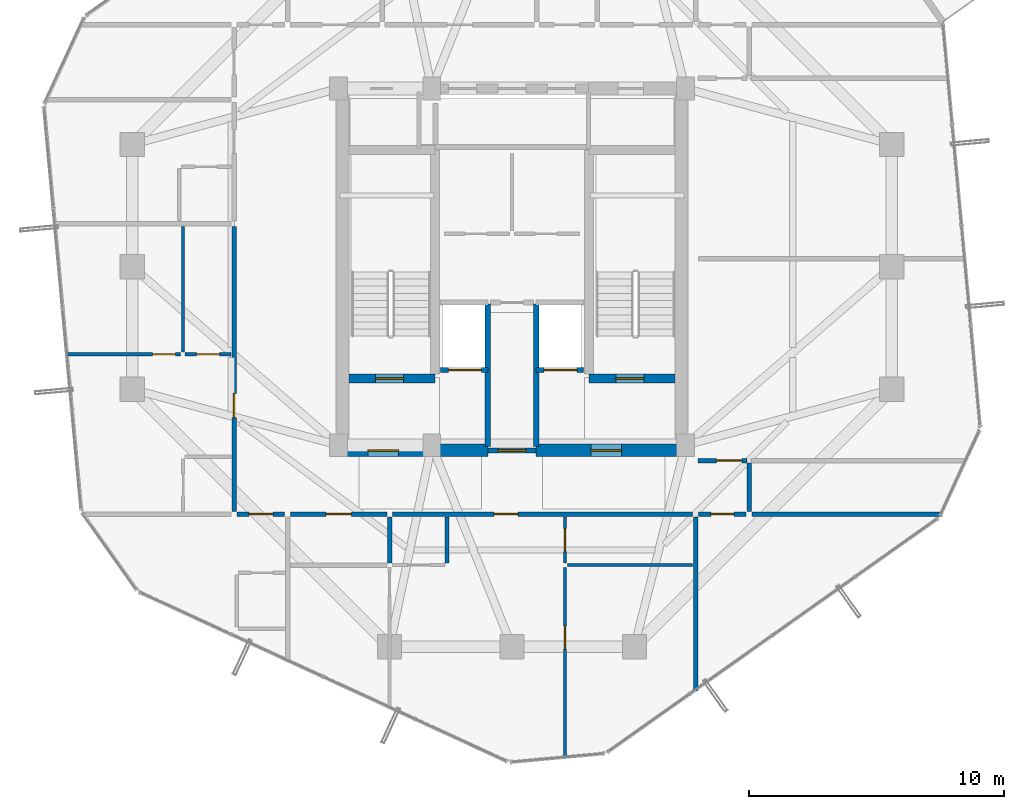
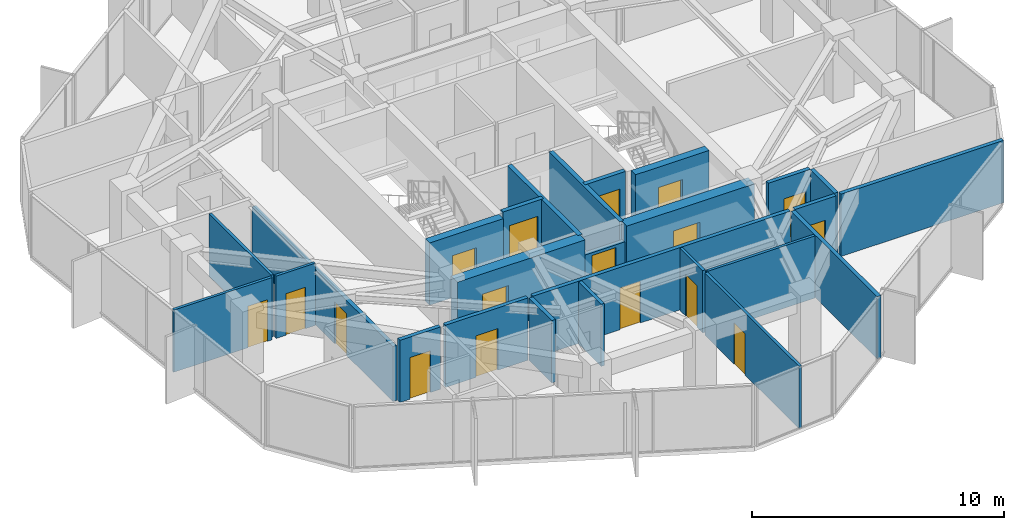
# One storey, part 28 of 32: 26 walls, 17 doors, 17 openings.
"""IFC4 building model written with IfcOpenShell, lengths in metres."""

from ifc_helpers import new_model, si_unit, direction, frame, frame_2d, origin, place, context, subcontext, project, spatial, rectangle, extrude, source, transform, mapped, material, layer, layer_set, type_object, element, fill, save


model = new_model("IFC4")

# Units and contexts
model_context = context("Model", 3, precision=1e-05, world=origin(), true_north=direction((0.0, 1.0)))
body_context = subcontext(model_context, "Body", "Model", "MODEL_VIEW")
ifc_project = project(units=[si_unit("LENGTHUNIT", "METRE"), si_unit("AREAUNIT", "SQUARE_METRE"), si_unit("VOLUMEUNIT", "CUBIC_METRE"), si_unit("PLANEANGLEUNIT", "RADIAN"), si_unit("MASSUNIT", "GRAM", prefix="KILO")], contexts=[model_context])

# Site, building, storey
site_placement = place(None, origin())
site = spatial("IfcSite", under=ifc_project, at=site_placement, CompositionType="ELEMENT")
building_placement = place(site_placement, origin())
building = spatial("IfcBuilding", under=site, at=building_placement, Name="Veraguas Prism Commons", CompositionType="ELEMENT")
storey_placement = place(building_placement, frame((0.0, 0.0, 188.60009765625)))
storey = spatial("IfcBuildingStorey", under=building, at=storey_placement, Name="L53", CompositionType="ELEMENT", Elevation=188.60009765625)

# Wall, opening, door
ifc_material_1 = material(Name="Concrete C50/60", Category="concrete")
ifc_layer_1 = layer(ifc_material_1, 0.35009765625, Name="Core Internal Shear Wall Upper RC 350", Category="concrete")
ifc_layer_set_1 = layer_set([ifc_layer_1], Name="Concrete C50/60")
wall_type_1 = type_object("IfcWallType", Name="Core Internal Shear Wall Upper RC 350", PredefinedType="SHEAR", material=ifc_layer_set_1)
wall_1_placement = place(storey_placement, frame((17.60009765625, 19.625, 0.0), z_axis=(0.0, 0.0, 1.0), x_axis=(1.0, 0.0, 0.0)))
wall_1 = element("IfcWall", 1, at=wall_1_placement, inside=storey, type_object=wall_type_1, Name="Stair ST-01 South Shear Wall L53", PredefinedType="SHEAR", context=body_context, shape_type="SweptSolid", body=[
    extrude(rectangle(XDim=3.375, YDim=0.35009765625, at=frame_2d((1.6875, 0.0))), origin(), (0.0, 0.0, 1.0), 3.014892578125),
])
opening_1_placement = place(wall_1_placement, frame((1.050048828125, 0.0, 0.0)))
opening_1 = element("IfcOpeningElement", 2, at=opening_1_placement, cuts=wall_1, Name="Opening DR-05", PredefinedType="OPENING", context=body_context, shape_type="SweptSolid", body=[
    extrude(rectangle(XDim=1.10009765625, YDim=2.030029296875, at=frame_2d((0.550048828125, 1.01513671875))), frame((0.0, 0.18505859375, 0.0), z_axis=(0.0, -1.0, 0.0), x_axis=(1.0, 0.0, 0.0)), (0.0, 0.0, 1.0), 0.3701171875),
])
ifc_material_2 = material(Name="Steel fire-rated door assembly", Category="steel")
door_type_1 = type_object("IfcDoorType", Name="Protected Stair and Refuge Fire Door 1100x2030", OperationType="NOTDEFINED", PredefinedType="DOOR", material=ifc_material_2)
shared_shape_1 = source(origin(), body_context, "Body", "SweptSolid", [
    extrude(rectangle(XDim=1.10009765625, YDim=2.030029296875, at=frame_2d((0.550048828125, 1.01513671875))), frame((0.0, 0.02490234375, 0.0), z_axis=(0.0, -1.0, 0.0), x_axis=(1.0, 0.0, 0.0)), (0.0, 0.0, 1.0), 0.050048828125),
])
door_1_placement = place(opening_1_placement, origin())
door_1 = element("IfcDoor", 3, at=door_1_placement, inside=storey, type_object=door_type_1, Name="Stair ST-01 Enclosure Door L53", OperationType="SINGLE_SWING_RIGHT", OverallHeight=2.030029296875, OverallWidth=1.10009765625, PredefinedType="DOOR", context=body_context, shape_type="MappedRepresentation", body=[
    mapped(shared_shape_1, transform((0.0, 0.0, 0.0), scale=1.0)),
])
fill(opening_1, door_1)

wall_2_placement = place(storey_placement, frame((27.02490234375, 19.625, 0.0), z_axis=(0.0, 0.0, 1.0), x_axis=(1.0, 0.0, 0.0)))
wall_2 = element("IfcWall", 4, at=wall_2_placement, inside=storey, type_object=wall_type_1, Name="Stair ST-02 South Shear Wall L53", PredefinedType="SHEAR", context=body_context, shape_type="SweptSolid", body=[
    extrude(rectangle(XDim=3.375, YDim=0.35009765625, at=frame_2d((1.6875, 0.0))), origin(), (0.0, 0.0, 1.0), 3.014892578125),
])
opening_2_placement = place(wall_2_placement, frame((1.050048828125, 0.0, 0.0)))
opening_2 = element("IfcOpeningElement", 5, at=opening_2_placement, cuts=wall_2, Name="Opening DR-05", PredefinedType="OPENING", context=body_context, shape_type="SweptSolid", body=[
    extrude(rectangle(XDim=1.10009765625, YDim=2.030029296875, at=frame_2d((0.550048828125, 1.01513671875))), frame((0.0, 0.18505859375, 0.0), z_axis=(0.0, -1.0, 0.0), x_axis=(1.0, 0.0, 0.0)), (0.0, 0.0, 1.0), 0.3701171875),
])
door_2_placement = place(opening_2_placement, origin())
door_2 = element("IfcDoor", 6, at=door_2_placement, inside=storey, type_object=door_type_1, Name="Stair ST-02 Enclosure Door L53", OperationType="SINGLE_SWING_LEFT", OverallHeight=2.030029296875, OverallWidth=1.10009765625, PredefinedType="DOOR", context=body_context, shape_type="MappedRepresentation", body=[
    mapped(shared_shape_1, transform((0.0, 0.0, 0.0), scale=1.0)),
])
fill(opening_2, door_2)

ifc_layer_2 = layer(ifc_material_1, 0.5, Name="Core Outer Shear Wall Upper RC 500", Category="concrete")
ifc_layer_set_2 = layer_set([ifc_layer_2], Name="Concrete C50/60")
wall_type_2 = type_object("IfcWallType", Name="Core Outer Shear Wall Upper RC 500", PredefinedType="SHEAR", material=ifc_layer_set_2)
wall_3_placement = place(storey_placement, frame((17.199951171875, 16.800048828125, 0.0), z_axis=(0.0, 0.0, 1.0), x_axis=(1.0, 0.0, 0.0)))
wall_3 = element("IfcWall", 7, at=wall_3_placement, inside=storey, type_object=wall_type_2, Name="Central Core South-West Shear Wall L53", PredefinedType="SHEAR", context=body_context, shape_type="SweptSolid", body=[
    extrude(rectangle(XDim=5.85009765625, YDim=0.5, at=frame_2d((2.925048828125, 0.0))), origin(), (0.0, 0.0, 1.0), 3.014892578125),
])
opening_3_placement = place(wall_3_placement, frame((1.14990234375, 0.0, 0.0)))
opening_3 = element("IfcOpeningElement", 8, at=opening_3_placement, cuts=wall_3, Name="Opening DR-06", PredefinedType="OPENING", context=body_context, shape_type="SweptSolid", body=[
    extrude(rectangle(XDim=1.199951171875, YDim=2.030029296875, at=frame_2d((0.60009765625, 1.01513671875))), frame((0.0, 0.260009765625, 0.0), z_axis=(0.0, -1.0, 0.0), x_axis=(1.0, 0.0, 0.0)), (0.0, 0.0, 1.0), 0.52001953125),
])
door_type_2 = type_object("IfcDoorType", Name="Firefighting Lobby Smoke Door 1200x2030", OperationType="NOTDEFINED", PredefinedType="DOOR", material=ifc_material_2)
shared_shape_2 = source(origin(), body_context, "Body", "SweptSolid", [
    extrude(rectangle(XDim=1.199951171875, YDim=2.030029296875, at=frame_2d((0.60009765625, 1.01513671875))), frame((0.0, 0.02490234375, 0.0), z_axis=(0.0, -1.0, 0.0), x_axis=(1.0, 0.0, 0.0)), (0.0, 0.0, 1.0), 0.050048828125),
])
door_3_placement = place(opening_3_placement, origin())
door_3 = element("IfcDoor", 9, at=door_3_placement, inside=storey, type_object=door_type_2, Name="West FF Lobby Door L53", OperationType="SINGLE_SWING_LEFT", OverallHeight=2.030029296875, OverallWidth=1.199951171875, PredefinedType="DOOR", context=body_context, shape_type="MappedRepresentation", body=[
    mapped(shared_shape_2, transform((0.0, 0.0, 0.0), scale=1.0)),
])
fill(opening_3, door_3)

wall_4_placement = place(storey_placement, frame((24.949951171875, 16.800048828125, 0.0), z_axis=(0.0, 0.0, 1.0), x_axis=(1.0, 0.0, 0.0)))
wall_4 = element("IfcWall", 10, at=wall_4_placement, inside=storey, type_object=wall_type_2, Name="Central Core South-East Shear Wall L53", PredefinedType="SHEAR", context=body_context, shape_type="SweptSolid", body=[
    extrude(rectangle(XDim=5.85009765625, YDim=0.5, at=frame_2d((2.925048828125, 0.0))), origin(), (0.0, 0.0, 1.0), 3.014892578125),
])
opening_4_placement = place(wall_4_placement, frame((2.14990234375, 0.0, 0.0)))
opening_4 = element("IfcOpeningElement", 11, at=opening_4_placement, cuts=wall_4, Name="Opening DR-06", PredefinedType="OPENING", context=body_context, shape_type="SweptSolid", body=[
    extrude(rectangle(XDim=1.199951171875, YDim=2.030029296875, at=frame_2d((0.60009765625, 1.01513671875))), frame((0.0, 0.260009765625, 0.0), z_axis=(0.0, -1.0, 0.0), x_axis=(1.0, 0.0, 0.0)), (0.0, 0.0, 1.0), 0.52001953125),
])
door_4_placement = place(opening_4_placement, origin())
door_4 = element("IfcDoor", 12, at=door_4_placement, inside=storey, type_object=door_type_2, Name="East FF Lobby Door L53", OperationType="SINGLE_SWING_LEFT", OverallHeight=2.030029296875, OverallWidth=1.199951171875, PredefinedType="DOOR", context=body_context, shape_type="MappedRepresentation", body=[
    mapped(shared_shape_2, transform((0.0, 0.0, 0.0), scale=1.0)),
])
fill(opening_4, door_4)

# Wall
ifc_material_3 = material(Name="Autoclaved aerated masonry block 10 MPa", Category="masonry")
ifc_layer_3 = layer(ifc_material_3, 0.179931640625, Name="Corridor and Inter-Tenancy Partition 180", Category="masonry")
ifc_layer_set_3 = layer_set([ifc_layer_3], Name="Autoclaved aerated masonry block 10 MPa")
wall_type_3 = type_object("IfcWallType", Name="Corridor and Inter-Tenancy Partition 180", PredefinedType="PARTITIONING", material=ifc_layer_set_3)
wall_5_placement = place(storey_placement, frame((31.199951171875, 14.179931640625, 0.0), z_axis=(0.0, 0.0, 1.0), x_axis=(0.0, -1.0, 0.0)))
element("IfcWall", 13, at=wall_5_placement, inside=storey, type_object=wall_type_3, Name="WL-L53-PT002", PredefinedType="PARTITIONING", context=body_context, shape_type="SweptSolid", body=[
    extrude(rectangle(XDim=6.817138671875, YDim=0.179931640625, at=frame_2d((3.40869140625, 0.0))), origin(), (0.0, 0.0, 1.0), 3.014892578125),
])

# Wall, opening, door
wall_6_placement = place(storey_placement, frame((15.31005859375, 14.300048828125, 0.0), z_axis=(0.0, 0.0, 1.0), x_axis=(1.0, 0.0, 0.0)))
wall_6 = element("IfcWall", 14, at=wall_6_placement, inside=storey, type_object=wall_type_3, Name="WL-L53-PT003", PredefinedType="PARTITIONING", context=body_context, shape_type="SweptSolid", body=[
    extrude(rectangle(XDim=3.780029296875, YDim=0.179931640625, at=frame_2d((1.89013671875, 0.0))), origin(), (0.0, 0.0, 1.0), 3.014892578125),
])
opening_5_placement = place(wall_6_placement, frame((1.389892578125, 0.0, 0.0)))
opening_5 = element("IfcOpeningElement", 15, at=opening_5_placement, cuts=wall_6, Name="Opening DR-13", PredefinedType="OPENING", context=body_context, shape_type="SweptSolid", body=[
    extrude(rectangle(XDim=1.0, YDim=2.010009765625, at=frame_2d((0.5, 1.0048828125))), frame((0.0, 0.099853515625, 0.0), z_axis=(0.0, -1.0, 0.0), x_axis=(1.0, 0.0, 0.0)), (0.0, 0.0, 1.0), 0.199951171875),
])
door_type_3 = type_object("IfcDoorType", Name="Core Accessible WC and Clinic Fire Door 1000x2010", OperationType="NOTDEFINED", PredefinedType="DOOR", material=ifc_material_2)
shared_shape_3 = source(origin(), body_context, "Body", "SweptSolid", [
    extrude(rectangle(XDim=1.0, YDim=2.010009765625, at=frame_2d((0.5, 1.0048828125))), frame((0.0, 0.02490234375, 0.0), z_axis=(0.0, -1.0, 0.0), x_axis=(1.0, 0.0, 0.0)), (0.0, 0.0, 1.0), 0.050048828125),
])
door_5_placement = place(opening_5_placement, origin())
door_5 = element("IfcDoor", 16, at=door_5_placement, inside=storey, type_object=door_type_3, Name="Residents Study Alcove 53A Door", OperationType="SINGLE_SWING_LEFT", OverallHeight=2.010009765625, OverallWidth=1.0, PredefinedType="DOOR", context=body_context, shape_type="MappedRepresentation", body=[
    mapped(shared_shape_3, transform((0.0, 0.0, 0.0), scale=1.0)),
])
fill(opening_5, door_5)

wall_7_placement = place(storey_placement, frame((19.31005859375, 14.300048828125, 0.0), z_axis=(0.0, 0.0, 1.0), x_axis=(1.0, 0.0, 0.0)))
wall_7 = element("IfcWall", 17, at=wall_7_placement, inside=storey, type_object=wall_type_3, Name="WL-L53-PT004", PredefinedType="PARTITIONING", context=body_context, shape_type="SweptSolid", body=[
    extrude(rectangle(XDim=11.780029296875, YDim=0.179931640625, at=frame_2d((5.89013671875, 0.0))), origin(), (0.0, 0.0, 1.0), 3.014892578125),
])
opening_6_placement = place(wall_7_placement, frame((3.97998046875, 0.0, 0.0)))
opening_6 = element("IfcOpeningElement", 18, at=opening_6_placement, cuts=wall_7, Name="Opening DR-01", PredefinedType="OPENING", context=body_context, shape_type="SweptSolid", body=[
    extrude(rectangle(XDim=0.949951171875, YDim=2.02001953125, at=frame_2d((0.47509765625, 1.010009765625))), frame((0.0, 0.099853515625, 0.0), z_axis=(0.0, -1.0, 0.0), x_axis=(1.0, 0.0, 0.0)), (0.0, 0.0, 1.0), 0.199951171875),
])
ifc_material_4 = material(Name="Anodised aluminium EN AW-6063 T6", Category="aluminium")
door_type_4 = type_object("IfcDoorType", Name="Apartment Entrance Fire Door 950x2020", OperationType="NOTDEFINED", PredefinedType="DOOR", material=ifc_material_4)
shared_shape_4 = source(origin(), body_context, "Body", "SweptSolid", [
    extrude(rectangle(XDim=0.949951171875, YDim=2.02001953125, at=frame_2d((0.47509765625, 1.010009765625))), frame((0.0, 0.02490234375, 0.0), z_axis=(0.0, -1.0, 0.0), x_axis=(1.0, 0.0, 0.0)), (0.0, 0.0, 1.0), 0.050048828125),
])
door_6_placement = place(opening_6_placement, origin())
door_6 = element("IfcDoor", 19, at=door_6_placement, inside=storey, type_object=door_type_4, Name="Flat 53A Entrance Door", OperationType="SINGLE_SWING_RIGHT", OverallHeight=2.02001953125, OverallWidth=0.949951171875, PredefinedType="DOOR", context=body_context, shape_type="MappedRepresentation", body=[
    mapped(shared_shape_4, transform((0.0, 0.0, 0.0), scale=1.0)),
])
fill(opening_6, door_6)

# Wall
wall_8_placement = place(storey_placement, frame((19.199951171875, 14.179931640625, 0.0), z_axis=(0.0, 0.0, 1.0), x_axis=(0.0, -1.0, 0.0)))
element("IfcWall", 20, at=wall_8_placement, inside=storey, type_object=wall_type_3, Name="WL-L53-PT006", PredefinedType="PARTITIONING", context=body_context, shape_type="SweptSolid", body=[
    extrude(rectangle(XDim=1.800048828125, YDim=0.179931640625, at=frame_2d((0.89990234375, 0.0))), origin(), (0.0, 0.0, 1.0), 3.014892578125),
])

# Wall, opening, door
wall_9_placement = place(storey_placement, frame((13.10009765625, 14.409912109375, 0.0), z_axis=(0.0, 0.0, 1.0), x_axis=(0.0, 1.0, 0.0)))
wall_9 = element("IfcWall", 21, at=wall_9_placement, inside=storey, type_object=wall_type_3, Name="WL-L53-PT024", PredefinedType="PARTITIONING", context=body_context, shape_type="SweptSolid", body=[
    extrude(rectangle(XDim=11.176025390625, YDim=0.179931640625, at=frame_2d((5.587890625, 0.0))), origin(), (0.0, 0.0, 1.0), 2.661865234375),
])
opening_7_placement = place(wall_9_placement, frame((3.674072265625, 0.0, 0.0)))
opening_7 = element("IfcOpeningElement", 22, at=opening_7_placement, cuts=wall_9, Name="Opening DR-01", PredefinedType="OPENING", context=body_context, shape_type="SweptSolid", body=[
    extrude(rectangle(XDim=0.949951171875, YDim=2.02001953125, at=frame_2d((0.47509765625, 1.010009765625))), frame((0.0, 0.099853515625, 0.0), z_axis=(0.0, -1.0, 0.0), x_axis=(1.0, 0.0, 0.0)), (0.0, 0.0, 1.0), 0.199951171875),
])
door_7_placement = place(opening_7_placement, origin())
door_7 = element("IfcDoor", 23, at=door_7_placement, inside=storey, type_object=door_type_4, Name="Flat 53B Entrance Door", OperationType="SINGLE_SWING_LEFT", OverallHeight=2.02001953125, OverallWidth=0.949951171875, PredefinedType="DOOR", context=body_context, shape_type="MappedRepresentation", body=[
    mapped(shared_shape_4, transform((0.0, 0.0, 0.0), scale=1.0)),
])
fill(opening_7, door_7)

# Wall
wall_10_placement = place(storey_placement, frame((33.300048828125, 14.39990234375, 0.0), z_axis=(0.0, 0.0, 1.0), x_axis=(0.0, 1.0, 0.0)))
element("IfcWall", 24, at=wall_10_placement, inside=storey, type_object=wall_type_3, Name="WL-L53-PT037", PredefinedType="PARTITIONING", context=body_context, shape_type="SweptSolid", body=[
    extrude(rectangle(XDim=1.900146484375, YDim=0.179931640625, at=frame_2d((0.9501953125, 0.0))), origin(), (0.0, 0.0, 1.0), 3.014892578125),
])

# Wall, opening, door
wall_11_placement = place(storey_placement, frame((31.300048828125, 16.39990234375, 0.0), z_axis=(0.0, 0.0, 1.0), x_axis=(1.0, 0.0, 0.0)))
wall_11 = element("IfcWall", 25, at=wall_11_placement, inside=storey, type_object=wall_type_3, Name="WL-L53-PT039", PredefinedType="PARTITIONING", context=body_context, shape_type="SweptSolid", body=[
    extrude(rectangle(XDim=1.919921875, YDim=0.179931640625, at=frame_2d((0.9599609375, 0.0))), origin(), (0.0, 0.0, 1.0), 3.014892578125),
])
opening_8_placement = place(wall_11_placement, frame((0.719970703125, 0.0, 0.0)))
opening_8 = element("IfcOpeningElement", 26, at=opening_8_placement, cuts=wall_11, Name="Opening DR-13", PredefinedType="OPENING", context=body_context, shape_type="SweptSolid", body=[
    extrude(rectangle(XDim=1.0, YDim=2.010009765625, at=frame_2d((0.5, 1.0048828125))), frame((0.0, 0.099853515625, 0.0), z_axis=(0.0, -1.0, 0.0), x_axis=(1.0, 0.0, 0.0)), (0.0, 0.0, 1.0), 0.199951171875),
])
door_8_placement = place(opening_8_placement, origin())
door_8 = element("IfcDoor", 27, at=door_8_placement, inside=storey, type_object=door_type_3, Name="Panorama Lounge Door L53", OperationType="SINGLE_SWING_RIGHT", OverallHeight=2.010009765625, OverallWidth=1.0, PredefinedType="DOOR", context=body_context, shape_type="MappedRepresentation", body=[
    mapped(shared_shape_3, transform((0.0, 0.0, 0.0), scale=1.0)),
])
fill(opening_8, door_8)

wall_12_placement = place(storey_placement, frame((13.219970703125, 14.300048828125, 0.0), z_axis=(0.0, 0.0, 1.0), x_axis=(1.0, 0.0, 0.0)))
wall_12 = element("IfcWall", 28, at=wall_12_placement, inside=storey, type_object=wall_type_3, Name="WL-L53-PT043", PredefinedType="PARTITIONING", context=body_context, shape_type="SweptSolid", body=[
    extrude(rectangle(XDim=1.860107421875, YDim=0.179931640625, at=frame_2d((0.93017578125, 0.0))), origin(), (0.0, 0.0, 1.0), 3.014892578125),
])
opening_9_placement = place(wall_12_placement, frame((0.455078125, 0.0, 0.0)))
opening_9 = element("IfcOpeningElement", 29, at=opening_9_placement, cuts=wall_12, Name="Opening DR-01", PredefinedType="OPENING", context=body_context, shape_type="SweptSolid", body=[
    extrude(rectangle(XDim=0.949951171875, YDim=2.02001953125, at=frame_2d((0.47509765625, 1.010009765625))), frame((0.0, 0.099853515625, 0.0), z_axis=(0.0, -1.0, 0.0), x_axis=(1.0, 0.0, 0.0)), (0.0, 0.0, 1.0), 0.199951171875),
])
door_9_placement = place(opening_9_placement, origin())
door_9 = element("IfcDoor", 30, at=door_9_placement, inside=storey, type_object=door_type_4, Name="Studio 53D Entrance Door", OperationType="SINGLE_SWING_RIGHT", OverallHeight=2.02001953125, OverallWidth=0.949951171875, PredefinedType="DOOR", context=body_context, shape_type="MappedRepresentation", body=[
    mapped(shared_shape_4, transform((0.0, 0.0, 0.0), scale=1.0)),
])
fill(opening_9, door_9)

# Wall
wall_13_placement = place(storey_placement, frame((33.419921875, 14.300048828125, 0.0), z_axis=(0.0, 0.0, 1.0), x_axis=(1.0, 0.0, 0.0)))
element("IfcWall", 31, at=wall_13_placement, inside=storey, type_object=wall_type_3, Name="WL-L53-PT047", PredefinedType="PARTITIONING", context=body_context, shape_type="SweptSolid", body=[
    extrude(rectangle(XDim=7.44189453125, YDim=0.179931640625, at=frame_2d((3.720947265625, 0.0))), origin(), (0.0, 0.0, 1.0), 3.014892578125),
])

# Wall, opening, door
wall_14_placement = place(storey_placement, frame((31.320068359375, 14.300048828125, 0.0), z_axis=(0.0, 0.0, 1.0), x_axis=(1.0, 0.0, 0.0)))
wall_14 = element("IfcWall", 32, at=wall_14_placement, inside=storey, type_object=wall_type_3, Name="WL-L53-PT048", PredefinedType="PARTITIONING", context=body_context, shape_type="SweptSolid", body=[
    extrude(rectangle(XDim=1.85986328125, YDim=0.179931640625, at=frame_2d((0.929931640625, 0.0))), origin(), (0.0, 0.0, 1.0), 3.014892578125),
])
opening_10_placement = place(wall_14_placement, frame((0.47998046875, 0.0, 0.0)))
opening_10 = element("IfcOpeningElement", 33, at=opening_10_placement, cuts=wall_14, Name="Opening DR-14", PredefinedType="OPENING", context=body_context, shape_type="SweptSolid", body=[
    extrude(rectangle(XDim=0.89990234375, YDim=2.010009765625, at=frame_2d((0.449951171875, 1.0048828125))), frame((0.0, 0.099853515625, 0.0), z_axis=(0.0, -1.0, 0.0), x_axis=(1.0, 0.0, 0.0)), (0.0, 0.0, 1.0), 0.199951171875),
])
door_type_5 = type_object("IfcDoorType", Name="Core Service Room Fire Door 900x2010", OperationType="NOTDEFINED", PredefinedType="DOOR", material=ifc_material_2)
shared_shape_5 = source(origin(), body_context, "Body", "SweptSolid", [
    extrude(rectangle(XDim=0.89990234375, YDim=2.010009765625, at=frame_2d((0.449951171875, 1.0048828125))), frame((0.0, 0.02490234375, 0.0), z_axis=(0.0, -1.0, 0.0), x_axis=(1.0, 0.0, 0.0)), (0.0, 0.0, 1.0), 0.050048828125),
])
door_10_placement = place(opening_10_placement, origin())
door_10 = element("IfcDoor", 34, at=door_10_placement, inside=storey, type_object=door_type_5, Name="Residents Corner Study Room SE Door", OperationType="SINGLE_SWING_RIGHT", OverallHeight=2.010009765625, OverallWidth=0.89990234375, PredefinedType="DOOR", context=body_context, shape_type="MappedRepresentation", body=[
    mapped(shared_shape_5, transform((0.0, 0.0, 0.0), scale=1.0)),
])
fill(opening_10, door_10)

ifc_material_5 = material(Name="Lightweight acoustic gypsum board")
ifc_layer_4 = layer(ifc_material_5, 0.125, Name="Internal Apartment Room Partition 125")
ifc_layer_set_4 = layer_set([ifc_layer_4], Name="Lightweight acoustic gypsum board")
wall_type_4 = type_object("IfcWallType", Name="Internal Apartment Room Partition 125", PredefinedType="PARTITIONING", material=ifc_layer_set_4)
wall_15_placement = place(storey_placement, frame((26.080078125, 14.179931640625, 0.0), z_axis=(0.0, 0.0, 1.0), x_axis=(0.0, -1.0, 0.0)))
wall_15 = element("IfcWall", 35, at=wall_15_placement, inside=storey, type_object=wall_type_4, Name="WL-L53-PT010", PredefinedType="PARTITIONING", context=body_context, shape_type="SweptSolid", body=[
    extrude(rectangle(XDim=1.800048828125, YDim=0.125, at=frame_2d((0.89990234375, 0.0))), origin(), (0.0, 0.0, 1.0), 3.014892578125),
])
opening_11_placement = place(wall_15_placement, frame((0.449951171875, 0.0, 0.0)))
opening_11 = element("IfcOpeningElement", 36, at=opening_11_placement, cuts=wall_15, Name="Opening DR-02", PredefinedType="OPENING", context=body_context, shape_type="SweptSolid", body=[
    extrude(rectangle(XDim=0.89990234375, YDim=2.010009765625, at=frame_2d((0.449951171875, 1.0048828125))), frame((0.0, 0.072509765625, 0.0), z_axis=(0.0, -1.0, 0.0), x_axis=(1.0, 0.0, 0.0)), (0.0, 0.0, 1.0), 0.14501953125),
])
ifc_material_6 = material(Name="Timber solid core hardwood", Category="wood")
door_type_6 = type_object("IfcDoorType", Name="Internal Habitable Room Door 900x2010", OperationType="NOTDEFINED", PredefinedType="DOOR", material=ifc_material_6)
door_11_placement = place(opening_11_placement, origin())
door_11 = element("IfcDoor", 37, at=door_11_placement, inside=storey, type_object=door_type_6, Name="Flat 53A Kitchen Door", OperationType="SINGLE_SWING_LEFT", OverallHeight=2.010009765625, OverallWidth=0.89990234375, PredefinedType="DOOR", context=body_context, shape_type="MappedRepresentation", body=[
    mapped(shared_shape_5, transform((0.0, 0.0, 0.0), scale=1.0)),
])
fill(opening_11, door_11)

# Wall
wall_16_placement = place(storey_placement, frame((26.179931640625, 12.300048828125, 0.0), z_axis=(0.0, 0.0, 1.0), x_axis=(1.0, 0.0, 0.0)))
element("IfcWall", 38, at=wall_16_placement, inside=storey, type_object=wall_type_4, Name="WL-L53-PT011", PredefinedType="PARTITIONING", context=body_context, shape_type="SweptSolid", body=[
    extrude(rectangle(XDim=4.900146484375, YDim=0.125, at=frame_2d((2.4501953125, 0.0))), origin(), (0.0, 0.0, 1.0), 3.014892578125),
])

# Wall, opening, door
wall_17_placement = place(storey_placement, frame((26.080078125, 12.199951171875, 0.0), z_axis=(0.0, 0.0, 1.0), x_axis=(0.0, -1.0, 0.0)))
wall_17 = element("IfcWall", 39, at=wall_17_placement, inside=storey, type_object=wall_type_4, Name="WL-L53-PT012", PredefinedType="PARTITIONING", context=body_context, shape_type="SweptSolid", body=[
    extrude(rectangle(XDim=7.46337890625, YDim=0.125, at=frame_2d((3.731689453125, 0.0))), origin(), (0.0, 0.0, 1.0), 3.014892578125),
])
opening_12_placement = place(wall_17_placement, frame((2.295654296875, 0.0, 0.0)))
opening_12 = element("IfcOpeningElement", 40, at=opening_12_placement, cuts=wall_17, Name="Opening DR-02", PredefinedType="OPENING", context=body_context, shape_type="SweptSolid", body=[
    extrude(rectangle(XDim=0.89990234375, YDim=2.010009765625, at=frame_2d((0.449951171875, 1.0048828125))), frame((0.0, 0.072509765625, 0.0), z_axis=(0.0, -1.0, 0.0), x_axis=(1.0, 0.0, 0.0)), (0.0, 0.0, 1.0), 0.14501953125),
])
door_12_placement = place(opening_12_placement, origin())
door_12 = element("IfcDoor", 41, at=door_12_placement, inside=storey, type_object=door_type_6, Name="Flat 53A Bedroom 1 Door", OperationType="SINGLE_SWING_RIGHT", OverallHeight=2.010009765625, OverallWidth=0.89990234375, PredefinedType="DOOR", context=body_context, shape_type="MappedRepresentation", body=[
    mapped(shared_shape_5, transform((0.0, 0.0, 0.0), scale=1.0)),
])
fill(opening_12, door_12)

wall_18_placement = place(storey_placement, frame((12.97998046875, 20.568115234375, 0.0), z_axis=(0.0, 0.0, 1.0), x_axis=(-1.0, 0.0, 0.0)))
wall_18 = element("IfcWall", 42, at=wall_18_placement, inside=storey, type_object=wall_type_4, Name="WL-L53-PT027", PredefinedType="PARTITIONING", context=body_context, shape_type="SweptSolid", body=[
    extrude(rectangle(XDim=1.800048828125, YDim=0.125, at=frame_2d((0.89990234375, 0.0))), origin(), (0.0, 0.0, 1.0), 3.014892578125),
])
opening_13_placement = place(wall_18_placement, frame((0.449951171875, 0.0, 0.0)))
opening_13 = element("IfcOpeningElement", 43, at=opening_13_placement, cuts=wall_18, Name="Opening DR-02", PredefinedType="OPENING", context=body_context, shape_type="SweptSolid", body=[
    extrude(rectangle(XDim=0.89990234375, YDim=2.010009765625, at=frame_2d((0.449951171875, 1.0048828125))), frame((0.0, 0.072509765625, 0.0), z_axis=(0.0, -1.0, 0.0), x_axis=(1.0, 0.0, 0.0)), (0.0, 0.0, 1.0), 0.14501953125),
])
door_13_placement = place(opening_13_placement, origin())
door_13 = element("IfcDoor", 44, at=door_13_placement, inside=storey, type_object=door_type_6, Name="Flat 53B Kitchen Door", OperationType="SINGLE_SWING_LEFT", OverallHeight=2.010009765625, OverallWidth=0.89990234375, PredefinedType="DOOR", context=body_context, shape_type="MappedRepresentation", body=[
    mapped(shared_shape_5, transform((0.0, 0.0, 0.0), scale=1.0)),
])
fill(opening_13, door_13)

# Wall
wall_19_placement = place(storey_placement, frame((11.10009765625, 20.66796875, 0.0), z_axis=(0.0, 0.0, 1.0), x_axis=(0.0, 1.0, 0.0)))
element("IfcWall", 45, at=wall_19_placement, inside=storey, type_object=wall_type_4, Name="WL-L53-PT028", PredefinedType="PARTITIONING", context=body_context, shape_type="SweptSolid", body=[
    extrude(rectangle(XDim=4.907958984375, YDim=0.125, at=frame_2d((2.4541015625, 0.0))), origin(), (0.0, 0.0, 1.0), 3.014892578125),
])

# Wall, opening, door
wall_20_placement = place(storey_placement, frame((11.0, 20.568115234375, 0.0), z_axis=(0.0, 0.0, 1.0), x_axis=(-1.0, 0.0, 0.0)))
wall_20 = element("IfcWall", 46, at=wall_20_placement, inside=storey, type_object=wall_type_4, Name="WL-L53-PT029", PredefinedType="PARTITIONING", context=body_context, shape_type="SweptSolid", body=[
    extrude(rectangle(XDim=4.498779296875, YDim=0.125, at=frame_2d((2.24951171875, 0.0))), origin(), (0.0, 0.0, 1.0), 3.014892578125),
])
opening_14_placement = place(wall_20_placement, frame((0.199951171875, 0.0, 0.0)))
opening_14 = element("IfcOpeningElement", 47, at=opening_14_placement, cuts=wall_20, Name="Opening DR-02", PredefinedType="OPENING", context=body_context, shape_type="SweptSolid", body=[
    extrude(rectangle(XDim=0.89990234375, YDim=2.010009765625, at=frame_2d((0.449951171875, 1.0048828125))), frame((0.0, 0.072509765625, 0.0), z_axis=(0.0, -1.0, 0.0), x_axis=(1.0, 0.0, 0.0)), (0.0, 0.0, 1.0), 0.14501953125),
])
door_14_placement = place(opening_14_placement, origin())
door_14 = element("IfcDoor", 48, at=door_14_placement, inside=storey, type_object=door_type_6, Name="Flat 53B Bedroom 1 Door", OperationType="SINGLE_SWING_RIGHT", OverallHeight=2.010009765625, OverallWidth=0.89990234375, PredefinedType="DOOR", context=body_context, shape_type="MappedRepresentation", body=[
    mapped(shared_shape_5, transform((0.0, 0.0, 0.0), scale=1.0)),
])
fill(opening_14, door_14)

ifc_layer_5 = layer(ifc_material_3, 0.199951171875, Name="Rated Shaft and Lobby Block Wall 200", Category="masonry")
ifc_layer_set_5 = layer_set([ifc_layer_5], Name="Autoclaved aerated masonry block 10 MPa")
wall_type_5 = type_object("IfcWallType", Name="Rated Shaft and Lobby Block Wall 200", PredefinedType="SOLIDWALL", material=ifc_layer_set_5)
wall_21_placement = place(storey_placement, frame((23.050048828125, 16.800048828125, 0.0), z_axis=(0.0, 0.0, 1.0), x_axis=(1.0, 0.0, 0.0)))
wall_21 = element("IfcWall", 49, at=wall_21_placement, inside=storey, type_object=wall_type_5, Name="Central Core Lobby Entrance Wall L53", PredefinedType="SOLIDWALL", context=body_context, shape_type="SweptSolid", body=[
    extrude(rectangle(XDim=1.89990234375, YDim=0.199951171875, at=frame_2d((0.949951171875, 0.0))), origin(), (0.0, 0.0, 1.0), 2.164794921875),
])
opening_15_placement = place(wall_21_placement, frame((0.39990234375, 0.0, 0.0)))
opening_15 = element("IfcOpeningElement", 50, at=opening_15_placement, cuts=wall_21, Name="Opening DR-05", PredefinedType="OPENING", context=body_context, shape_type="SweptSolid", body=[
    extrude(rectangle(XDim=1.10009765625, YDim=2.030029296875, at=frame_2d((0.550048828125, 1.01513671875))), frame((0.0, 0.10986328125, 0.0), z_axis=(0.0, -1.0, 0.0), x_axis=(1.0, 0.0, 0.0)), (0.0, 0.0, 1.0), 0.219970703125),
])
door_15_placement = place(opening_15_placement, origin())
door_15 = element("IfcDoor", 51, at=door_15_placement, inside=storey, type_object=door_type_1, Name="Central Lobby Door L53", OperationType="SINGLE_SWING_RIGHT", OverallHeight=2.030029296875, OverallWidth=1.10009765625, PredefinedType="DOOR", context=body_context, shape_type="MappedRepresentation", body=[
    mapped(shared_shape_1, transform((0.0, 0.0, 0.0), scale=1.0)),
])
fill(opening_15, door_15)

wall_22_placement = place(storey_placement, frame((21.199951171875, 19.949951171875, 0.0), z_axis=(0.0, 0.0, 1.0), x_axis=(1.0, 0.0, 0.0)))
wall_22 = element("IfcWall", 52, at=wall_22_placement, inside=storey, type_object=wall_type_5, Name="Firefighting Lift FFL-1 Front Wall L53", PredefinedType="SOLIDWALL", context=body_context, shape_type="SweptSolid", body=[
    extrude(rectangle(XDim=1.85009765625, YDim=0.199951171875, at=frame_2d((0.925048828125, 0.0))), origin(), (0.0, 0.0, 1.0), 3.014892578125),
])
opening_16_placement = place(wall_22_placement, frame((0.300048828125, 0.0, 0.0)))
opening_16 = element("IfcOpeningElement", 53, at=opening_16_placement, cuts=wall_22, Name="Opening LD-02", PredefinedType="OPENING", context=body_context, shape_type="SweptSolid", body=[
    extrude(rectangle(XDim=1.300048828125, YDim=2.25, at=frame_2d((0.64990234375, 1.125))), frame((0.0, 0.10986328125, 0.0), z_axis=(0.0, -1.0, 0.0), x_axis=(1.0, 0.0, 0.0)), (0.0, 0.0, 1.0), 0.219970703125),
])
ifc_material_7 = material(Name="Stainless steel AISI 316", Category="steel")
door_type_7 = type_object("IfcDoorType", Name="Firefighting Lift Sliding Landing Door 1300x2250", OperationType="NOTDEFINED", PredefinedType="DOOR", material=ifc_material_7)
shared_shape_6 = source(origin(), body_context, "Body", "SweptSolid", [
    extrude(rectangle(XDim=1.300048828125, YDim=2.25, at=frame_2d((0.64990234375, 1.125))), frame((0.0, 0.02490234375, 0.0), z_axis=(0.0, -1.0, 0.0), x_axis=(1.0, 0.0, 0.0)), (0.0, 0.0, 1.0), 0.050048828125),
])
door_16_placement = place(opening_16_placement, origin())
door_16 = element("IfcDoor", 54, at=door_16_placement, inside=storey, type_object=door_type_7, Name="Firefighting Lift FFL-1 Landing Door L53", OperationType="SLIDING_TO_LEFT", OverallHeight=2.25, OverallWidth=1.300048828125, PredefinedType="DOOR", context=body_context, shape_type="MappedRepresentation", body=[
    mapped(shared_shape_6, transform((0.0, 0.0, 0.0), scale=1.0)),
])
fill(opening_16, door_16)

wall_23_placement = place(storey_placement, frame((24.949951171875, 19.949951171875, 0.0), z_axis=(0.0, 0.0, 1.0), x_axis=(1.0, 0.0, 0.0)))
wall_23 = element("IfcWall", 55, at=wall_23_placement, inside=storey, type_object=wall_type_5, Name="Firefighting Lift FFL-2 Front Wall L53", PredefinedType="SOLIDWALL", context=body_context, shape_type="SweptSolid", body=[
    extrude(rectangle(XDim=1.85009765625, YDim=0.199951171875, at=frame_2d((0.925048828125, 0.0))), origin(), (0.0, 0.0, 1.0), 3.014892578125),
])
opening_17_placement = place(wall_23_placement, frame((0.300048828125, 0.0, 0.0)))
opening_17 = element("IfcOpeningElement", 56, at=opening_17_placement, cuts=wall_23, Name="Opening LD-02", PredefinedType="OPENING", context=body_context, shape_type="SweptSolid", body=[
    extrude(rectangle(XDim=1.300048828125, YDim=2.25, at=frame_2d((0.64990234375, 1.125))), frame((0.0, 0.10986328125, 0.0), z_axis=(0.0, -1.0, 0.0), x_axis=(1.0, 0.0, 0.0)), (0.0, 0.0, 1.0), 0.219970703125),
])
door_17_placement = place(opening_17_placement, origin())
door_17 = element("IfcDoor", 57, at=door_17_placement, inside=storey, type_object=door_type_7, Name="Firefighting Lift FFL-2 Front Wall L53", OperationType="SLIDING_TO_LEFT", OverallHeight=2.25, OverallWidth=1.300048828125, PredefinedType="DOOR", context=body_context, shape_type="MappedRepresentation", body=[
    mapped(shared_shape_6, transform((0.0, 0.0, 0.0), scale=1.0)),
])
fill(opening_17, door_17)

# Walls
for number, where, z_axis, x_axis, name in (
    (58, (23.050048828125, 16.949951171875, 0.0), (0.0, 0.0, 1.0), (0.0, 1.0, 0.0), "West FF Lobby Divider Wall L53"),
    (59, (24.949951171875, 16.949951171875, 0.0), (0.0, 0.0, 1.0), (0.0, 1.0, 0.0), "East FF Lobby Divider Wall L53"),
):
    element("IfcWall", number, at=place(storey_placement, frame(where, z_axis=z_axis, x_axis=x_axis)), inside=storey, type_object=wall_type_5, Name=name, PredefinedType="SOLIDWALL", context=body_context, shape_type="SweptSolid", body=[
        extrude(rectangle(XDim=5.60009765625, YDim=0.199951171875, at=frame_2d((2.800048828125, 0.0))), origin(), (0.0, 0.0, 1.0), 3.014892578125),
    ])
ifc_layer_6 = layer(ifc_material_5, 0.14990234375, Name="Wet Room and Clinic Acoustic Partition 150")
ifc_layer_set_6 = layer_set([ifc_layer_6], Name="Lightweight acoustic gypsum board")
wall_type_6 = type_object("IfcWallType", Name="Wet Room and Clinic Acoustic Partition 150", PredefinedType="PARTITIONING", material=ifc_layer_set_6)
wall_24_placement = place(storey_placement, frame((21.449951171875, 14.179931640625, 0.0), z_axis=(0.0, 0.0, 1.0), x_axis=(0.0, -1.0, 0.0)))
element("IfcWall", 60, at=wall_24_placement, inside=storey, type_object=wall_type_6, Name="WL-L53-PT008", PredefinedType="PARTITIONING", context=body_context, shape_type="SweptSolid", body=[
    extrude(rectangle(XDim=1.800048828125, YDim=0.14990234375, at=frame_2d((0.89990234375, 0.0))), origin(), (0.0, 0.0, 1.0), 3.014892578125),
])

save(model, "model.ifc")
